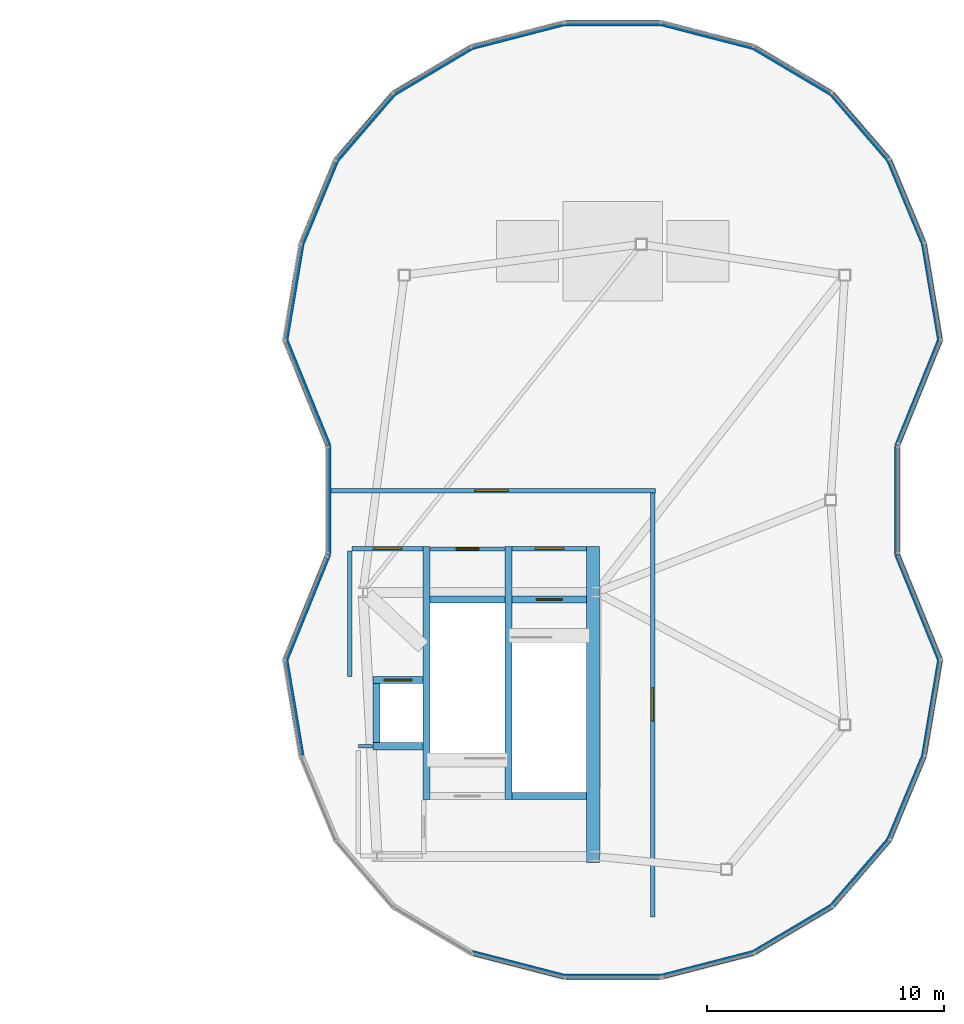
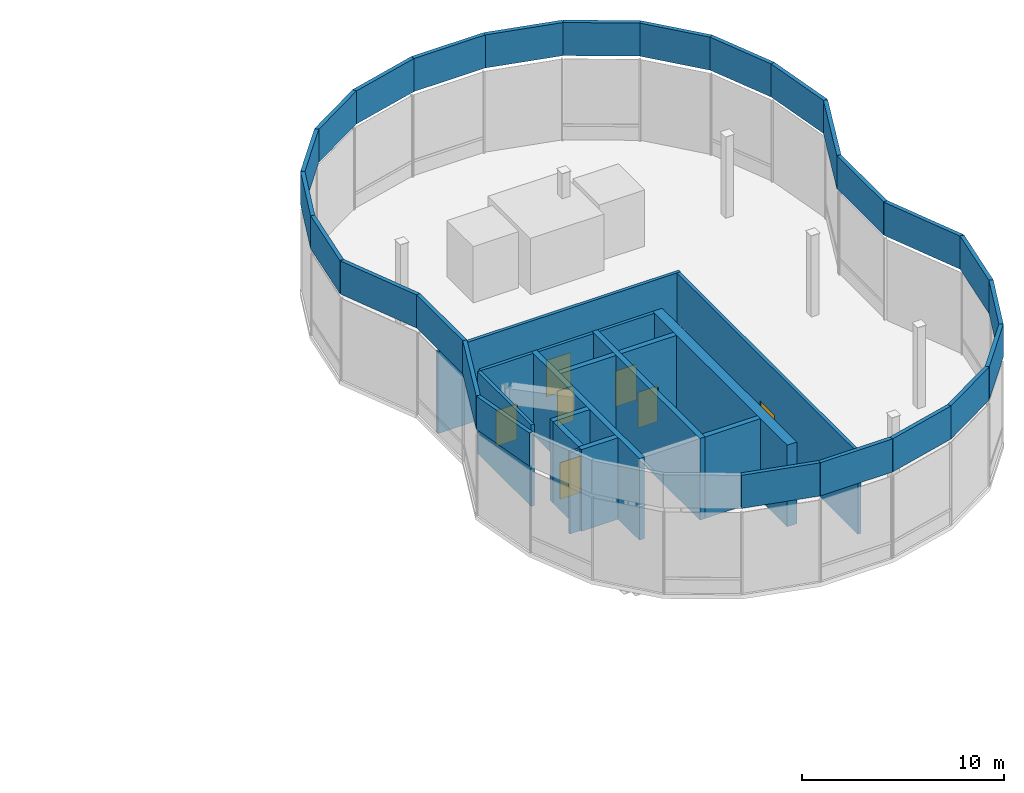
# One storey, part 12 of 14: 41 walls, 7 doors, 7 openings.
"""IFC4 building model written with IfcOpenShell, lengths in metres."""

from ifc_helpers import new_model, si_unit, direction, frame, frame_2d, origin, place, context, subcontext, project, spatial, rectangle, extrude, material, layer, layer_set, type_object, element, fill, save


model = new_model("IFC4")

# Units and contexts
model_context = context("Model", 3, precision=1e-05, world=origin(), true_north=direction((0.0, 1.0)))
body_context = subcontext(model_context, "Body", "Model", "MODEL_VIEW")
ifc_project = project(units=[si_unit("LENGTHUNIT", "METRE"), si_unit("AREAUNIT", "SQUARE_METRE"), si_unit("VOLUMEUNIT", "CUBIC_METRE"), si_unit("PLANEANGLEUNIT", "RADIAN"), si_unit("MASSUNIT", "GRAM", prefix="KILO"), si_unit("THERMODYNAMICTEMPERATUREUNIT", "KELVIN"), si_unit("POWERUNIT", "WATT")], contexts=[model_context])

# Site, building, storey
site_placement = place(None, origin())
site = spatial("IfcSite", under=ifc_project, at=site_placement, CompositionType="ELEMENT")
building_placement = place(site_placement, origin())
building = spatial("IfcBuilding", under=site, at=building_placement, Name="Cundina Bronze Exchange", CompositionType="ELEMENT")
storey_placement = place(building_placement, frame((0.0, 0.0, 286.39990234375)))
storey = spatial("IfcBuildingStorey", under=building, at=storey_placement, Name="L76", CompositionType="ELEMENT", Elevation=286.39990234375)

# Wall
ifc_material_1 = material(Name="Gypsum Fireboard Partition EI120")
ifc_layer_1 = layer(ifc_material_1, 0.179931640625, Name="Gypsum Fireboard Partition EI120")
ifc_layer_set_1 = layer_set([ifc_layer_1], Name="Gypsum Fireboard Partition EI120")
wall_type_1 = type_object("IfcWallType", Name="WL-COR-180", PredefinedType="PARTITIONING", material=ifc_layer_set_1)
wall_1_placement = place(storey_placement, frame((20.889892578125, -7.449951171875, 0.0), z_axis=(0.0, 0.0, 1.0), x_axis=(0.0, 1.0, 0.0)))
element("IfcWall", 1, at=wall_1_placement, inside=storey, type_object=wall_type_1, Name="L76 E Firefighting Lobby Side Wall", PredefinedType="PARTITIONING", context=body_context, shape_type="SweptSolid", body=[
    extrude(rectangle(XDim=5.300048828125, YDim=0.179931640625, at=frame_2d((2.64990234375, 0.0))), origin(), (0.0, 0.0, 1.0), 4.93017578125),
])

# Wall, opening, door
wall_2_placement = place(storey_placement, frame((20.97998046875, -2.06005859375, 0.0), z_axis=(0.0, 0.0, 1.0), x_axis=(1.0, 0.0, 0.0)))
wall_2 = element("IfcWall", 2, at=wall_2_placement, inside=storey, type_object=wall_type_1, Name="L76 E Firefighting Lobby Exit Wall", PredefinedType="PARTITIONING", context=body_context, shape_type="SweptSolid", body=[
    extrude(rectangle(XDim=3.0, YDim=0.179931640625, at=frame_2d((1.5, 0.0))), origin(), (0.0, 0.0, 1.0), 4.93017578125),
])
opening_1_placement = place(wall_2_placement, frame((0.89990234375, 0.0, 0.0)))
opening_1 = element("IfcOpeningElement", 3, at=opening_1_placement, cuts=wall_2, Name="Opening DF-01", PredefinedType="OPENING", context=body_context, shape_type="SweptSolid", body=[
    extrude(rectangle(XDim=1.199951171875, YDim=2.14990234375, at=frame_2d((0.60009765625, 1.074951171875))), frame((0.0, 0.099853515625, 0.0), z_axis=(0.0, -1.0, 0.0), x_axis=(1.0, 0.0, 0.0)), (0.0, 0.0, 1.0), 0.199951171875),
])
ifc_material_2 = material(Name="Steel ASTM A36 Painted", Category="steel")
door_type_1 = type_object("IfcDoorType", Name="DR-FFL-1200", OperationType="NOTDEFINED", PredefinedType="DOOR", material=ifc_material_2)
door_1_placement = place(opening_1_placement, origin())
door_1 = element("IfcDoor", 4, at=door_1_placement, inside=storey, type_object=door_type_1, Name="L76 E Firefighting Lobby Door", OperationType="SINGLE_SWING_LEFT", OverallHeight=2.14990234375, OverallWidth=1.199951171875, PredefinedType="DOOR", context=body_context, shape_type="SweptSolid", body=[
    extrude(rectangle(XDim=1.199951171875, YDim=2.14990234375, at=frame_2d((0.60009765625, 1.074951171875))), frame((0.0, 0.02490234375, 0.0), z_axis=(0.0, -1.0, 0.0), x_axis=(1.0, 0.0, 0.0)), (0.0, 0.0, 1.0), 0.050048828125),
])
fill(opening_1, door_1)

wall_3_placement = place(storey_placement, frame((27.739990234375, -2.06005859375, 0.0), z_axis=(0.0, 0.0, 1.0), x_axis=(1.0, 0.0, 0.0)))
wall_3 = element("IfcWall", 5, at=wall_3_placement, inside=storey, type_object=wall_type_1, Name="L76 E Stair Vestibule Exit Wall", PredefinedType="PARTITIONING", context=body_context, shape_type="SweptSolid", body=[
    extrude(rectangle(XDim=3.159912109375, YDim=0.179931640625, at=frame_2d((1.580078125, 0.0))), origin(), (0.0, 0.0, 1.0), 4.93017578125),
])
opening_2_placement = place(wall_3_placement, frame((0.97998046875, 0.0, 0.0)))
opening_2 = element("IfcOpeningElement", 6, at=opening_2_placement, cuts=wall_3, Name="Opening DF-01", PredefinedType="OPENING", context=body_context, shape_type="SweptSolid", body=[
    extrude(rectangle(XDim=1.199951171875, YDim=2.14990234375, at=frame_2d((0.60009765625, 1.074951171875))), frame((0.0, 0.099853515625, 0.0), z_axis=(0.0, -1.0, 0.0), x_axis=(1.0, 0.0, 0.0)), (0.0, 0.0, 1.0), 0.199951171875),
])
door_2_placement = place(opening_2_placement, origin())
door_2 = element("IfcDoor", 7, at=door_2_placement, inside=storey, type_object=door_type_1, Name="L76 E Stair Vestibule Door", OperationType="SINGLE_SWING_RIGHT", OverallHeight=2.14990234375, OverallWidth=1.199951171875, PredefinedType="DOOR", context=body_context, shape_type="SweptSolid", body=[
    extrude(rectangle(XDim=1.199951171875, YDim=2.14990234375, at=frame_2d((0.60009765625, 1.074951171875))), frame((0.0, 0.02490234375, 0.0), z_axis=(0.0, -1.0, 0.0), x_axis=(1.0, 0.0, 0.0)), (0.0, 0.0, 1.0), 0.050048828125),
])
fill(opening_2, door_2)

wall_4_placement = place(storey_placement, frame((24.300048828125, -2.070068359375, 0.0), z_axis=(0.0, 0.0, 1.0), x_axis=(1.0, 0.0, 0.0)))
wall_4 = element("IfcWall", 8, at=wall_4_placement, inside=storey, type_object=wall_type_1, Name="L76 Interior Partition 011", PredefinedType="PARTITIONING", context=body_context, shape_type="SweptSolid", body=[
    extrude(rectangle(XDim=3.119873046875, YDim=0.179931640625, at=frame_2d((1.56005859375, 0.0))), origin(), (0.0, 0.0, 1.0), 4.93017578125),
])
opening_3_placement = place(wall_4_placement, frame((1.0849609375, 0.0, 0.0)))
opening_3 = element("IfcOpeningElement", 9, at=opening_3_placement, cuts=wall_4, Name="Opening DW-01", PredefinedType="OPENING", context=body_context, shape_type="SweptSolid", body=[
    extrude(rectangle(XDim=0.949951171875, YDim=2.10009765625, at=frame_2d((0.47509765625, 1.050048828125))), frame((0.0, 0.099853515625, 0.0), z_axis=(0.0, -1.0, 0.0), x_axis=(1.0, 0.0, 0.0)), (0.0, 0.0, 1.0), 0.199951171875),
])
ifc_material_3 = material(Name="Solid Andean Oak Timber Grade A", Category="wood")
door_type_2 = type_object("IfcDoorType", Name="DR-WC-950", OperationType="NOTDEFINED", PredefinedType="DOOR", material=ifc_material_3)
door_3_placement = place(opening_3_placement, origin())
door_3 = element("IfcDoor", 10, at=door_3_placement, inside=storey, type_object=door_type_2, Name="L76 Interior Door 011", OperationType="SINGLE_SWING_RIGHT", OverallHeight=2.10009765625, OverallWidth=0.949951171875, PredefinedType="DOOR", context=body_context, shape_type="SweptSolid", body=[
    extrude(rectangle(XDim=0.949951171875, YDim=2.10009765625, at=frame_2d((0.47509765625, 1.050048828125))), frame((0.0, 0.02490234375, 0.0), z_axis=(0.0, -1.0, 0.0), x_axis=(1.0, 0.0, 0.0)), (0.0, 0.0, 1.0), 0.050048828125),
])
fill(opening_3, door_3)

wall_5_placement = place(storey_placement, frame((33.805419921875, 0.389892578125, 0.0), z_axis=(0.0, 0.0, 1.0), x_axis=(-1.0, 0.0, 0.0)))
wall_5 = element("IfcWall", 11, at=wall_5_placement, inside=storey, type_object=wall_type_1, Name="L76 Interior Partition 013", PredefinedType="PARTITIONING", context=body_context, shape_type="SweptSolid", body=[
    extrude(rectangle(XDim=13.853515625, YDim=0.179931640625, at=frame_2d((6.9267578125, 0.0))), origin(), (0.0, 0.0, 1.0), 4.93017578125),
])
opening_4_placement = place(wall_5_placement, frame((6.226806640625, 0.0, 0.0)))
opening_4 = element("IfcOpeningElement", 12, at=opening_4_placement, cuts=wall_5, Name="Opening DP-01", PredefinedType="OPENING", context=body_context, shape_type="SweptSolid", body=[
    extrude(rectangle(XDim=1.39990234375, YDim=2.199951171875, at=frame_2d((0.699951171875, 1.10009765625))), frame((0.0, 0.099853515625, 0.0), z_axis=(0.0, -1.0, 0.0), x_axis=(1.0, 0.0, 0.0)), (0.0, 0.0, 1.0), 0.199951171875),
])
door_type_3 = type_object("IfcDoorType", Name="DR-PLT-1400", OperationType="NOTDEFINED", PredefinedType="DOOR", material=ifc_material_2)
door_4_placement = place(opening_4_placement, origin())
door_4 = element("IfcDoor", 13, at=door_4_placement, inside=storey, type_object=door_type_3, Name="L76 Interior Door 013", OperationType="SINGLE_SWING_RIGHT", OverallHeight=2.199951171875, OverallWidth=1.39990234375, PredefinedType="DOOR", context=body_context, shape_type="SweptSolid", body=[
    extrude(rectangle(XDim=1.39990234375, YDim=2.199951171875, at=frame_2d((0.699951171875, 1.10009765625))), frame((0.0, 0.02490234375, 0.0), z_axis=(0.0, -1.0, 0.0), x_axis=(1.0, 0.0, 0.0)), (0.0, 0.0, 1.0), 0.050048828125),
])
fill(opening_4, door_4)

wall_6_placement = place(storey_placement, frame((33.68994140625, -17.605224609375, 0.0), z_axis=(0.0, 0.0, 1.0), x_axis=(0.0, 1.0, 0.0)))
wall_6 = element("IfcWall", 14, at=wall_6_placement, inside=storey, type_object=wall_type_1, Name="L76 Interior Partition 014", PredefinedType="PARTITIONING", context=body_context, shape_type="SweptSolid", body=[
    extrude(rectangle(XDim=17.935302734375, YDim=0.179931640625, at=frame_2d((8.9677734375, 0.0))), origin(), (0.0, 0.0, 1.0), 4.93017578125),
])
opening_5_placement = place(wall_6_placement, frame((8.267578125, 0.0, 0.0)))
opening_5 = element("IfcOpeningElement", 15, at=opening_5_placement, cuts=wall_6, Name="Opening DP-01", PredefinedType="OPENING", context=body_context, shape_type="SweptSolid", body=[
    extrude(rectangle(XDim=1.39990234375, YDim=2.199951171875, at=frame_2d((0.699951171875, 1.10009765625))), frame((0.0, 0.099853515625, 0.0), z_axis=(0.0, -1.0, 0.0), x_axis=(1.0, 0.0, 0.0)), (0.0, 0.0, 1.0), 0.199951171875),
])
door_5_placement = place(opening_5_placement, origin())
door_5 = element("IfcDoor", 16, at=door_5_placement, inside=storey, type_object=door_type_3, Name="L76 Interior Door 014", OperationType="SINGLE_SWING_RIGHT", OverallHeight=2.199951171875, OverallWidth=1.39990234375, PredefinedType="DOOR", context=body_context, shape_type="SweptSolid", body=[
    extrude(rectangle(XDim=1.39990234375, YDim=2.199951171875, at=frame_2d((0.699951171875, 1.10009765625))), frame((0.0, 0.02490234375, 0.0), z_axis=(0.0, -1.0, 0.0), x_axis=(1.0, 0.0, 0.0)), (0.0, 0.0, 1.0), 0.050048828125),
])
fill(opening_5, door_5)

# Walls
ifc_material_4 = material(Name="Concrete C50/60", Category="concrete")
ifc_layer_2 = layer(ifc_material_4, 0.550048828125, Name="Concrete C50/60", Category="concrete")
ifc_layer_set_2 = layer_set([ifc_layer_2], Name="Concrete C50/60")
wall_type_2 = type_object("IfcWallType", Name="WL-CORE-550", PredefinedType="SHEAR", material=ifc_layer_set_2)
wall_7_placement = place(storey_placement, frame((31.175048828125, -15.300048828125, 0.0), z_axis=(0.0, 0.0, 1.0), x_axis=(0.0, 1.0, 0.0)))
element("IfcWall", 17, at=wall_7_placement, inside=storey, type_object=wall_type_2, Name="L76 E Primary Core Shear Spine Wall", PredefinedType="SHEAR", context=body_context, shape_type="SweptSolid", body=[
    extrude(rectangle(XDim=13.330078125, YDim=0.550048828125, at=frame_2d((6.6650390625, 0.0))), origin(), (0.0, 0.0, 1.0), 4.93017578125),
])
ifc_material_5 = material(Name="Precast Concrete C45/55", Category="concrete")
ifc_layer_3 = layer(ifc_material_5, 0.219970703125, Name="Precast Concrete C45/55", Category="concrete")
ifc_layer_set_3 = layer_set([ifc_layer_3], Name="Precast Concrete C45/55")
wall_type_3 = type_object("IfcWallType", Name="WL-PAR-220", PredefinedType="PARAPET", material=ifc_layer_set_3)
wall_8_placement = place(storey_placement, frame((44.008056640625, 2.283935546875, 5.2001953125), z_axis=(0.0, 0.0, 1.0), x_axis=(0.000531349553, -0.999999858834, 0.0)))
element("IfcWall", 18, at=wall_8_placement, inside=storey, type_object=wall_type_3, Name="L76 Leg E Crown Maintenance Parapet 01", PredefinedType="PARAPET", context=body_context, shape_type="SweptSolid", body=[
    extrude(rectangle(XDim=4.5947265625, YDim=0.219970703125, at=frame_2d((2.29736328125, 0.0))), origin(), (0.0, 0.0, 1.0), 2.0),
])
wall_9_placement = place(storey_placement, frame((44.010498046875, -2.310791015625, 5.2001953125), z_axis=(0.0, 0.0, 1.0), x_axis=(0.377043082347, -0.926195721246, 0.0)))
element("IfcWall", 19, at=wall_9_placement, inside=storey, type_object=wall_type_3, Name="L76 Leg E Crown Maintenance Parapet 02", PredefinedType="PARAPET", context=body_context, shape_type="SweptSolid", body=[
    extrude(rectangle(XDim=4.79736328125, YDim=0.219970703125, at=frame_2d((2.398681640625, 0.0))), origin(), (0.0, 0.0, 1.0), 2.0),
])
wall_10_placement = place(storey_placement, frame((45.8193359375, -6.754150390625, 5.2001953125), z_axis=(0.0, 0.0, 1.0), x_axis=(-0.165110628258, -0.986275053135, 0.0)))
element("IfcWall", 20, at=wall_10_placement, inside=storey, type_object=wall_type_3, Name="L76 Leg E Crown Maintenance Parapet 03", PredefinedType="PARAPET", context=body_context, shape_type="SweptSolid", body=[
    extrude(rectangle(XDim=4.116455078125, YDim=0.219970703125, at=frame_2d((2.05810546875, 0.0))), origin(), (0.0, 0.0, 1.0), 2.0),
])
wall_11_placement = place(storey_placement, frame((45.1396484375, -10.814208984375, 5.2001953125), z_axis=(0.0, 0.0, 1.0), x_axis=(-0.383669064321, -0.923470654154, 0.0)))
element("IfcWall", 21, at=wall_11_placement, inside=storey, type_object=wall_type_3, Name="L76 Leg E Crown Maintenance Parapet 04", PredefinedType="PARAPET", context=body_context, shape_type="SweptSolid", body=[
    extrude(rectangle(XDim=3.829345703125, YDim=0.219970703125, at=frame_2d((1.91455078125, 0.0))), origin(), (0.0, 0.0, 1.0), 2.0),
])
wall_12_placement = place(storey_placement, frame((43.67041015625, -14.3505859375, 5.2001953125), z_axis=(0.0, 0.0, 1.0), x_axis=(-0.652473840564, -0.757811247858, 0.0)))
element("IfcWall", 22, at=wall_12_placement, inside=storey, type_object=wall_type_3, Name="L76 Leg E Crown Maintenance Parapet 05", PredefinedType="PARAPET", context=body_context, shape_type="SweptSolid", body=[
    extrude(rectangle(XDim=3.712890625, YDim=0.219970703125, at=frame_2d((1.8564453125, 0.0))), origin(), (0.0, 0.0, 1.0), 2.0),
])
wall_13_placement = place(storey_placement, frame((41.247802734375, -17.164306640625, 5.2001953125), z_axis=(0.0, 0.0, 1.0), x_axis=(-0.859779697284, -0.5106651272, 0.0)))
element("IfcWall", 23, at=wall_13_placement, inside=storey, type_object=wall_type_3, Name="L76 Leg E Crown Maintenance Parapet 06", PredefinedType="PARAPET", context=body_context, shape_type="SweptSolid", body=[
    extrude(rectangle(XDim=3.838623046875, YDim=0.219970703125, at=frame_2d((1.91943359375, 0.0))), origin(), (0.0, 0.0, 1.0), 2.0),
])
wall_14_placement = place(storey_placement, frame((37.947509765625, -19.12451171875, 5.2001953125), z_axis=(0.0, 0.0, 1.0), x_axis=(-0.968151728793, -0.250364194795, 0.0)))
element("IfcWall", 24, at=wall_14_placement, inside=storey, type_object=wall_type_3, Name="L76 Leg E Crown Maintenance Parapet 07", PredefinedType="PARAPET", context=body_context, shape_type="SweptSolid", body=[
    extrude(rectangle(XDim=4.0244140625, YDim=0.219970703125, at=frame_2d((2.01220703125, 0.0))), origin(), (0.0, 0.0, 1.0), 2.0),
])
wall_15_placement = place(storey_placement, frame((34.05126953125, -20.132080078125, 5.2001953125), z_axis=(0.0, 0.0, 1.0), x_axis=(-1.0, 0.0, 0.0)))
element("IfcWall", 25, at=wall_15_placement, inside=storey, type_object=wall_type_3, Name="L76 Leg E Crown Maintenance Parapet 08", PredefinedType="PARAPET", context=body_context, shape_type="SweptSolid", body=[
    extrude(rectangle(XDim=4.1025390625, YDim=0.219970703125, at=frame_2d((2.05126953125, 0.0))), origin(), (0.0, 0.0, 1.0), 2.0),
])
wall_16_placement = place(storey_placement, frame((29.94873046875, -20.132080078125, 5.2001953125), z_axis=(0.0, 0.0, 1.0), x_axis=(-0.968151728793, 0.250364194795, 0.0)))
element("IfcWall", 26, at=wall_16_placement, inside=storey, type_object=wall_type_3, Name="L76 Leg E Crown Maintenance Parapet 09", PredefinedType="PARAPET", context=body_context, shape_type="SweptSolid", body=[
    extrude(rectangle(XDim=4.0244140625, YDim=0.219970703125, at=frame_2d((2.01220703125, 0.0))), origin(), (0.0, 0.0, 1.0), 2.0),
])
wall_17_placement = place(storey_placement, frame((18.8603515625, -10.814208984375, 5.2001953125), z_axis=(0.0, 0.0, 1.0), x_axis=(-0.165110628258, 0.986275053135, 0.0)))
element("IfcWall", 27, at=wall_17_placement, inside=storey, type_object=wall_type_3, Name="L76 Leg E Crown Maintenance Parapet 13", PredefinedType="PARAPET", context=body_context, shape_type="SweptSolid", body=[
    extrude(rectangle(XDim=4.116455078125, YDim=0.219970703125, at=frame_2d((2.05810546875, 0.0))), origin(), (0.0, 0.0, 1.0), 2.0),
])
wall_18_placement = place(storey_placement, frame((18.1806640625, -6.754150390625, 5.2001953125), z_axis=(0.0, 0.0, 1.0), x_axis=(0.375532386136, 0.92680927216, 0.0)))
element("IfcWall", 28, at=wall_18_placement, inside=storey, type_object=wall_type_3, Name="L76 Leg E Crown Maintenance Parapet 14", PredefinedType="PARAPET", context=body_context, shape_type="SweptSolid", body=[
    extrude(rectangle(XDim=4.8232421875, YDim=0.219970703125, at=frame_2d((2.41162109375, 0.0))), origin(), (0.0, 0.0, 1.0), 2.0),
])
wall_19_placement = place(storey_placement, frame((19.991943359375, -2.283935546875, 5.2001953125), z_axis=(0.0, 0.0, 1.0), x_axis=(-0.000531349553, 0.999999858834, 0.0)))
element("IfcWall", 29, at=wall_19_placement, inside=storey, type_object=wall_type_3, Name="L76 Leg E Crown Maintenance Parapet 15", PredefinedType="PARAPET", context=body_context, shape_type="SweptSolid", body=[
    extrude(rectangle(XDim=4.5947265625, YDim=0.219970703125, at=frame_2d((2.29736328125, 0.0))), origin(), (0.0, 0.0, 1.0), 2.0),
])
wall_20_placement = place(storey_placement, frame((19.989501953125, 2.310791015625, 5.2001953125), z_axis=(0.0, 0.0, 1.0), x_axis=(-0.377043082347, 0.926195721246, 0.0)))
element("IfcWall", 30, at=wall_20_placement, inside=storey, type_object=wall_type_3, Name="L76 Leg E Crown Maintenance Parapet 16", PredefinedType="PARAPET", context=body_context, shape_type="SweptSolid", body=[
    extrude(rectangle(XDim=4.79736328125, YDim=0.219970703125, at=frame_2d((2.398681640625, 0.0))), origin(), (0.0, 0.0, 1.0), 2.0),
])
wall_21_placement = place(storey_placement, frame((18.1806640625, 6.754150390625, 5.2001953125), z_axis=(0.0, 0.0, 1.0), x_axis=(0.165110628258, 0.986275053135, 0.0)))
element("IfcWall", 31, at=wall_21_placement, inside=storey, type_object=wall_type_3, Name="L76 Leg E Crown Maintenance Parapet 17", PredefinedType="PARAPET", context=body_context, shape_type="SweptSolid", body=[
    extrude(rectangle(XDim=4.116455078125, YDim=0.219970703125, at=frame_2d((2.05810546875, 0.0))), origin(), (0.0, 0.0, 1.0), 2.0),
])
wall_22_placement = place(storey_placement, frame((18.8603515625, 10.814208984375, 5.2001953125), z_axis=(0.0, 0.0, 1.0), x_axis=(0.383669064321, 0.923470654154, 0.0)))
element("IfcWall", 32, at=wall_22_placement, inside=storey, type_object=wall_type_3, Name="L76 Leg E Crown Maintenance Parapet 18", PredefinedType="PARAPET", context=body_context, shape_type="SweptSolid", body=[
    extrude(rectangle(XDim=3.829345703125, YDim=0.219970703125, at=frame_2d((1.91455078125, 0.0))), origin(), (0.0, 0.0, 1.0), 2.0),
])
wall_23_placement = place(storey_placement, frame((20.32958984375, 14.3505859375, 5.2001953125), z_axis=(0.0, 0.0, 1.0), x_axis=(0.652473840564, 0.757811247858, 0.0)))
element("IfcWall", 33, at=wall_23_placement, inside=storey, type_object=wall_type_3, Name="L76 Leg E Crown Maintenance Parapet 19", PredefinedType="PARAPET", context=body_context, shape_type="SweptSolid", body=[
    extrude(rectangle(XDim=3.712890625, YDim=0.219970703125, at=frame_2d((1.8564453125, 0.0))), origin(), (0.0, 0.0, 1.0), 2.0),
])
wall_24_placement = place(storey_placement, frame((22.752197265625, 17.164306640625, 5.2001953125), z_axis=(0.0, 0.0, 1.0), x_axis=(0.859779697284, 0.5106651272, 0.0)))
element("IfcWall", 34, at=wall_24_placement, inside=storey, type_object=wall_type_3, Name="L76 Leg E Crown Maintenance Parapet 20", PredefinedType="PARAPET", context=body_context, shape_type="SweptSolid", body=[
    extrude(rectangle(XDim=3.838623046875, YDim=0.219970703125, at=frame_2d((1.91943359375, 0.0))), origin(), (0.0, 0.0, 1.0), 2.0),
])
wall_25_placement = place(storey_placement, frame((26.052490234375, 19.12451171875, 5.2001953125), z_axis=(0.0, 0.0, 1.0), x_axis=(0.968151728793, 0.250364194795, 0.0)))
element("IfcWall", 35, at=wall_25_placement, inside=storey, type_object=wall_type_3, Name="L76 Leg E Crown Maintenance Parapet 21", PredefinedType="PARAPET", context=body_context, shape_type="SweptSolid", body=[
    extrude(rectangle(XDim=4.0244140625, YDim=0.219970703125, at=frame_2d((2.01220703125, 0.0))), origin(), (0.0, 0.0, 1.0), 2.0),
])
wall_26_placement = place(storey_placement, frame((29.94873046875, 20.132080078125, 5.2001953125), z_axis=(0.0, 0.0, 1.0), x_axis=(1.0, 0.0, 0.0)))
element("IfcWall", 36, at=wall_26_placement, inside=storey, type_object=wall_type_3, Name="L76 Leg E Crown Maintenance Parapet 22", PredefinedType="PARAPET", context=body_context, shape_type="SweptSolid", body=[
    extrude(rectangle(XDim=4.1025390625, YDim=0.219970703125, at=frame_2d((2.05126953125, 0.0))), origin(), (0.0, 0.0, 1.0), 2.0),
])
wall_27_placement = place(storey_placement, frame((34.05126953125, 20.132080078125, 5.2001953125), z_axis=(0.0, 0.0, 1.0), x_axis=(0.968151728793, -0.250364194795, 0.0)))
element("IfcWall", 37, at=wall_27_placement, inside=storey, type_object=wall_type_3, Name="L76 Leg E Crown Maintenance Parapet 23", PredefinedType="PARAPET", context=body_context, shape_type="SweptSolid", body=[
    extrude(rectangle(XDim=4.0244140625, YDim=0.219970703125, at=frame_2d((2.01220703125, 0.0))), origin(), (0.0, 0.0, 1.0), 2.0),
])
wall_28_placement = place(storey_placement, frame((37.947509765625, 19.12451171875, 5.2001953125), z_axis=(0.0, 0.0, 1.0), x_axis=(0.859779697284, -0.5106651272, 0.0)))
element("IfcWall", 38, at=wall_28_placement, inside=storey, type_object=wall_type_3, Name="L76 Leg E Crown Maintenance Parapet 24", PredefinedType="PARAPET", context=body_context, shape_type="SweptSolid", body=[
    extrude(rectangle(XDim=3.838623046875, YDim=0.219970703125, at=frame_2d((1.91943359375, 0.0))), origin(), (0.0, 0.0, 1.0), 2.0),
])
wall_29_placement = place(storey_placement, frame((41.247802734375, 17.164306640625, 5.2001953125), z_axis=(0.0, 0.0, 1.0), x_axis=(0.652473840564, -0.757811247858, 0.0)))
element("IfcWall", 39, at=wall_29_placement, inside=storey, type_object=wall_type_3, Name="L76 Leg E Crown Maintenance Parapet 25", PredefinedType="PARAPET", context=body_context, shape_type="SweptSolid", body=[
    extrude(rectangle(XDim=3.712890625, YDim=0.219970703125, at=frame_2d((1.8564453125, 0.0))), origin(), (0.0, 0.0, 1.0), 2.0),
])
wall_30_placement = place(storey_placement, frame((43.67041015625, 14.3505859375, 5.2001953125), z_axis=(0.0, 0.0, 1.0), x_axis=(0.383669064321, -0.923470654154, 0.0)))
element("IfcWall", 40, at=wall_30_placement, inside=storey, type_object=wall_type_3, Name="L76 Leg E Crown Maintenance Parapet 26", PredefinedType="PARAPET", context=body_context, shape_type="SweptSolid", body=[
    extrude(rectangle(XDim=3.829345703125, YDim=0.219970703125, at=frame_2d((1.91455078125, 0.0))), origin(), (0.0, 0.0, 1.0), 2.0),
])
wall_31_placement = place(storey_placement, frame((45.1396484375, 10.814208984375, 5.2001953125), z_axis=(0.0, 0.0, 1.0), x_axis=(0.165110628258, -0.986275053135, 0.0)))
element("IfcWall", 41, at=wall_31_placement, inside=storey, type_object=wall_type_3, Name="L76 Leg E Crown Maintenance Parapet 27", PredefinedType="PARAPET", context=body_context, shape_type="SweptSolid", body=[
    extrude(rectangle(XDim=4.116455078125, YDim=0.219970703125, at=frame_2d((2.05810546875, 0.0))), origin(), (0.0, 0.0, 1.0), 2.0),
])
wall_32_placement = place(storey_placement, frame((45.8193359375, 6.754150390625, 5.2001953125), z_axis=(0.0, 0.0, 1.0), x_axis=(-0.375532386136, -0.92680927216, 0.0)))
element("IfcWall", 42, at=wall_32_placement, inside=storey, type_object=wall_type_3, Name="L76 Leg E Crown Maintenance Parapet 28", PredefinedType="PARAPET", context=body_context, shape_type="SweptSolid", body=[
    extrude(rectangle(XDim=4.8232421875, YDim=0.219970703125, at=frame_2d((2.41162109375, 0.0))), origin(), (0.0, 0.0, 1.0), 2.0),
])
ifc_layer_4 = layer(ifc_material_4, 0.300048828125, Name="Concrete C50/60", Category="concrete")
ifc_layer_set_4 = layer_set([ifc_layer_4], Name="Concrete C50/60")
wall_type_4 = type_object("IfcWallType", Name="WL-SHFT-300", PredefinedType="SHEAR", material=ifc_layer_set_4)
for number, where, z_axis, x_axis, name in (
    (43, (27.590087890625, -12.64990234375, 0.0), (0.0, 0.0, 1.0), (0.0, 1.0, 0.0), "L76 E Stair Shaft Dividing Shear Wall"),
    (44, (24.1298828125, -12.64990234375, 0.0), (0.0, 0.0, 1.0), (0.0, 1.0, 0.0), "L76 E Stair 2 East Shear Wall"),
):
    element("IfcWall", number, at=place(storey_placement, frame(where, z_axis=z_axis, x_axis=x_axis)), inside=storey, type_object=wall_type_4, Name=name, PredefinedType="SHEAR", context=body_context, shape_type="SweptSolid", body=[
        extrude(rectangle(XDim=10.679931640625, YDim=0.300048828125, at=frame_2d((5.33984375, 0.0))), origin(), (0.0, 0.0, 1.0), 4.93017578125),
    ])

# Wall, opening, door
wall_33_placement = place(storey_placement, frame((27.739990234375, -4.199951171875, 0.0), z_axis=(0.0, 0.0, 1.0), x_axis=(1.0, 0.0, 0.0)))
wall_33 = element("IfcWall", 45, at=wall_33_placement, inside=storey, type_object=wall_type_4, Name="L76 Stair E1 Landing Wall", PredefinedType="SHEAR", context=body_context, shape_type="SweptSolid", body=[
    extrude(rectangle(XDim=3.159912109375, YDim=0.300048828125, at=frame_2d((1.580078125, 0.0))), origin(), (0.0, 0.0, 1.0), 4.93017578125),
])
opening_6_placement = place(wall_33_placement, frame((1.030029296875, 0.0, 0.0)))
opening_6 = element("IfcOpeningElement", 46, at=opening_6_placement, cuts=wall_33, Name="Opening DS-01", PredefinedType="OPENING", context=body_context, shape_type="SweptSolid", body=[
    extrude(rectangle(XDim=1.10009765625, YDim=2.14990234375, at=frame_2d((0.550048828125, 1.074951171875))), frame((0.0, 0.159912109375, 0.0), z_axis=(0.0, -1.0, 0.0), x_axis=(1.0, 0.0, 0.0)), (0.0, 0.0, 1.0), 0.320068359375),
])
door_type_4 = type_object("IfcDoorType", Name="DR-STR-1100", OperationType="NOTDEFINED", PredefinedType="DOOR", material=ifc_material_2)
door_6_placement = place(opening_6_placement, origin())
door_6 = element("IfcDoor", 47, at=door_6_placement, inside=storey, type_object=door_type_4, Name="L76 Smokeproof Stair E1 Door", OperationType="SINGLE_SWING_LEFT", OverallHeight=2.14990234375, OverallWidth=1.10009765625, PredefinedType="DOOR", context=body_context, shape_type="SweptSolid", body=[
    extrude(rectangle(XDim=1.10009765625, YDim=2.14990234375, at=frame_2d((0.550048828125, 1.074951171875))), frame((0.0, 0.02490234375, 0.0), z_axis=(0.0, -1.0, 0.0), x_axis=(1.0, 0.0, 0.0)), (0.0, 0.0, 1.0), 0.050048828125),
])
fill(opening_6, door_6)

# Walls
for number, where, z_axis, x_axis, name in (
    (48, (27.739990234375, -12.5, 0.0), (0.0, 0.0, 1.0), (1.0, 0.0, 0.0), "L76 Stair E1 Far Shaft Wall"),
    (49, (24.280029296875, -4.199951171875, 0.0), (0.0, 0.0, 1.0), (1.0, 0.0, 0.0), "L76 Stair E2 Far Shaft Wall"),
):
    element("IfcWall", number, at=place(storey_placement, frame(where, z_axis=z_axis, x_axis=x_axis)), inside=storey, type_object=wall_type_4, Name=name, PredefinedType="SHEAR", context=body_context, shape_type="SweptSolid", body=[
        extrude(rectangle(XDim=3.159912109375, YDim=0.300048828125, at=frame_2d((1.580078125, 0.0))), origin(), (0.0, 0.0, 1.0), 4.93017578125),
    ])

# Wall, opening, door
wall_34_placement = place(storey_placement, frame((21.8798828125, -7.60009765625, 0.0), z_axis=(0.0, 0.0, 1.0), x_axis=(1.0, 0.0, 0.0)))
wall_34 = element("IfcWall", 50, at=wall_34_placement, inside=storey, type_object=wall_type_4, Name="L76 FFL-E Hoistway Front Wall", PredefinedType="SHEAR", context=body_context, shape_type="SweptSolid", body=[
    extrude(rectangle(XDim=2.10009765625, YDim=0.300048828125, at=frame_2d((1.050048828125, 0.0))), origin(), (0.0, 0.0, 1.0), 4.93017578125),
])
opening_7_placement = place(wall_34_placement, frame((0.47509765625, 0.0, 0.0)))
opening_7 = element("IfcOpeningElement", 51, at=opening_7_placement, cuts=wall_34, Name="Opening LD-01", PredefinedType="OPENING", context=body_context, shape_type="SweptSolid", body=[
    extrude(rectangle(XDim=1.14990234375, YDim=2.199951171875, at=frame_2d((0.574951171875, 1.10009765625))), frame((0.0, 0.159912109375, 0.0), z_axis=(0.0, -1.0, 0.0), x_axis=(1.0, 0.0, 0.0)), (0.0, 0.0, 1.0), 0.320068359375),
])
door_type_5 = type_object("IfcDoorType", Name="DR-LND-1150", OperationType="NOTDEFINED", PredefinedType="TRAPDOOR", material=ifc_material_2)
door_7_placement = place(opening_7_placement, origin())
door_7 = element("IfcDoor", 52, at=door_7_placement, inside=storey, type_object=door_type_5, Name="L76 FFL-E Sliding Landing Door", OperationType="SLIDING_TO_LEFT", OverallHeight=2.199951171875, OverallWidth=1.14990234375, PredefinedType="TRAPDOOR", context=body_context, shape_type="SweptSolid", body=[
    extrude(rectangle(XDim=1.14990234375, YDim=2.199951171875, at=frame_2d((0.574951171875, 1.10009765625))), frame((0.0, 0.02490234375, 0.0), z_axis=(0.0, -1.0, 0.0), x_axis=(1.0, 0.0, 0.0)), (0.0, 0.0, 1.0), 0.050048828125),
])
fill(opening_7, door_7)

# Walls
wall_35_placement = place(storey_placement, frame((21.8798828125, -10.39990234375, 0.0), z_axis=(0.0, 0.0, 1.0), x_axis=(1.0, 0.0, 0.0)))
element("IfcWall", 53, at=wall_35_placement, inside=storey, type_object=wall_type_4, Name="L76 FFL-E Hoistway Back Wall", PredefinedType="SHEAR", context=body_context, shape_type="SweptSolid", body=[
    extrude(rectangle(XDim=2.10009765625, YDim=0.300048828125, at=frame_2d((1.050048828125, 0.0))), origin(), (0.0, 0.0, 1.0), 4.93017578125),
])
wall_36_placement = place(storey_placement, frame((22.030029296875, -10.25, 0.0), z_axis=(0.0, 0.0, 1.0), x_axis=(0.0, 1.0, 0.0)))
element("IfcWall", 54, at=wall_36_placement, inside=storey, type_object=wall_type_4, Name="L76 FFL-E Hoistway Side Wall", PredefinedType="SHEAR", context=body_context, shape_type="SweptSolid", body=[
    extrude(rectangle(XDim=2.5, YDim=0.300048828125, at=frame_2d((1.25, 0.0))), origin(), (0.0, 0.0, 1.0), 4.93017578125),
])
ifc_material_6 = material(Name="Moisture-Resistant Masonry Block Grade M15", Category="masonry")
ifc_layer_5 = layer(ifc_material_6, 0.139892578125, Name="Moisture-Resistant Masonry Block Grade M15", Category="masonry")
ifc_layer_set_5 = layer_set([ifc_layer_5], Name="Moisture-Resistant Masonry Block Grade M15")
wall_type_5 = type_object("IfcWallType", Name="WL-WET-140", PredefinedType="PARTITIONING", material=ifc_layer_set_5)
wall_37_placement = place(storey_placement, frame((21.27001953125, -10.39990234375, 0.0), z_axis=(0.0, 0.0, 1.0), x_axis=(1.0, 0.0, 0.0)))
element("IfcWall", 55, at=wall_37_placement, inside=storey, type_object=wall_type_5, Name="L76 Interior Partition 008", PredefinedType="PARTITIONING", context=body_context, shape_type="SweptSolid", body=[
    extrude(rectangle(XDim=0.590087890625, YDim=0.139892578125, at=frame_2d((0.294921875, 0.0))), origin(), (0.0, 0.0, 1.0), 4.93017578125),
])

save(model, "model.ifc")
